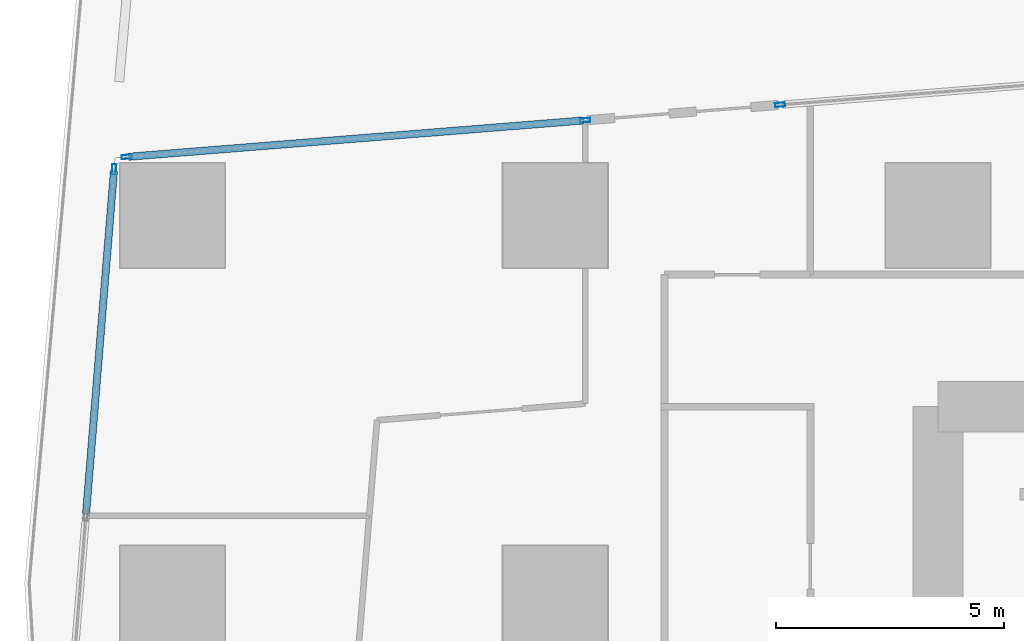
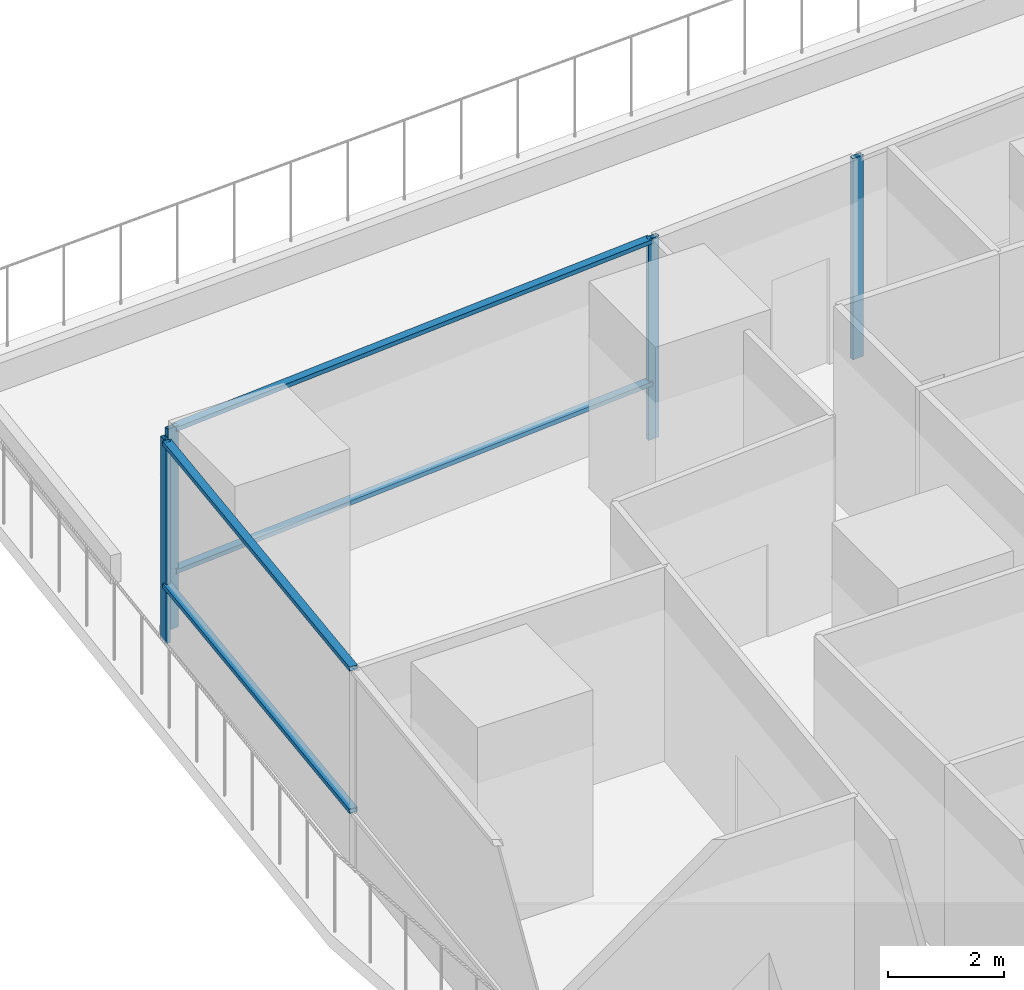
# One storey, part 9 of 39: 8 members, 3 elements without a shape of their own.
"""IFC4 building model written with IfcOpenShell, lengths in metres."""

from ifc_helpers import new_model, si_unit, direction, frame, origin, origin_2d, place, context, subcontext, project, spatial, hollow_rectangle, extrude, material, material_profile, profile_set, type_object, element, aggregate, save


model = new_model("IFC4")

# Units and contexts
model_context = context("Model", 3, precision=1e-05, world=origin(), true_north=direction((0.0, 1.0)))
body_context = subcontext(model_context, "Body", "Model", "MODEL_VIEW")
ifc_project = project(units=[si_unit("LENGTHUNIT", "METRE"), si_unit("AREAUNIT", "SQUARE_METRE"), si_unit("VOLUMEUNIT", "CUBIC_METRE"), si_unit("PLANEANGLEUNIT", "RADIAN"), si_unit("MASSUNIT", "GRAM", prefix="KILO")], contexts=[model_context])

# Site, building, storey
site_placement = place(None, origin())
site = spatial("IfcSite", under=ifc_project, at=site_placement, CompositionType="ELEMENT")
building_placement = place(site_placement, origin())
building = spatial("IfcBuilding", under=site, at=building_placement, Name="Rekha Terrace Tower", CompositionType="ELEMENT")
storey_placement = place(building_placement, frame((0.0, 0.0, 245.60009765625)))
storey = spatial("IfcBuildingStorey", under=building, at=storey_placement, Name="L62", CompositionType="ELEMENT", Elevation=245.60009765625)

# Curtain wall, member
ifc_material_1 = material(Name="Aluminium framing", Category="aluminium")
curtain_wall_type = type_object("IfcCurtainWallType", Name="CW5 sky garden glazing", PredefinedType="USERDEFINED", material=ifc_material_1)
curtain_wall_1_placement = place(storey_placement, origin())
curtain_wall_1 = element("IfcCurtainWall", 1, at=curtain_wall_1_placement, inside=storey, type_object=curtain_wall_type, Name="CW5 sky garden curtain wall", ObjectType="SKY GARDEN CURTAIN WALL", PredefinedType="USERDEFINED")
ifc_material_2 = material(Name="Aluminium mullion section", Category="aluminium")
ifc_material_profile_1 = material_profile(ifc_material_2, hollow_rectangle(XDim=0.090087890625, YDim=0.219970703125, WallThickness=0.00390625, at=origin_2d()), Name="AL RHS 90x220")
ifc_profile_set_1 = profile_set([ifc_material_profile_1], Name="Aluminium mullion section")
member_type_1 = type_object("IfcMemberType", Name="CW5 mullion RHS 90 x 220", PredefinedType="MULLION", material=ifc_profile_set_1)
member_1_placement = place(storey_placement, frame((21.736328125, 52.828369140625, 0.0), z_axis=(0.0, 0.0, 1.0), x_axis=(0.079485051575, -0.996836058024, 0.0)))
member_1 = element("IfcMember", 2, at=member_1_placement, type_object=member_type_1, Name="CW5 mullion 2", PredefinedType="MULLION", context=body_context, shape_type="SweptSolid", body=[
    extrude(hollow_rectangle(XDim=0.090087890625, YDim=0.219970703125, WallThickness=0.00390625, at=origin_2d()), origin(), (0.0, 0.0, 1.0), 4.25),
])
aggregate(curtain_wall_1, [member_1])

# Curtain wall, members
curtain_wall_2_placement = place(storey_placement, origin())
curtain_wall_2 = element("IfcCurtainWall", 3, at=curtain_wall_2_placement, inside=storey, type_object=curtain_wall_type, Name="CW5 sky garden curtain wall", ObjectType="SKY GARDEN CURTAIN WALL", PredefinedType="USERDEFINED")
member_2_placement = place(storey_placement, frame((17.4599609375, 52.4873046875, 0.0), z_axis=(0.0, 0.0, 1.0), x_axis=(0.079485051505, -0.996836058029, 0.0)))
member_2 = element("IfcMember", 4, at=member_2_placement, type_object=member_type_1, Name="CW5 mullion 1", PredefinedType="MULLION", context=body_context, shape_type="SweptSolid", body=[
    extrude(hollow_rectangle(XDim=0.090087890625, YDim=0.219970703125, WallThickness=0.00390625, at=origin_2d()), origin(), (0.0, 0.0, 1.0), 4.25),
])
member_3_placement = place(storey_placement, frame((7.393798828125, 51.684814453125, 0.0), z_axis=(0.0, 0.0, 1.0), x_axis=(0.079485051505, -0.996836058029, 0.0)))
member_3 = element("IfcMember", 5, at=member_3_placement, type_object=member_type_1, Name="CW5 mullion 2", PredefinedType="MULLION", context=body_context, shape_type="SweptSolid", body=[
    extrude(hollow_rectangle(XDim=0.090087890625, YDim=0.219970703125, WallThickness=0.00390625, at=origin_2d()), origin(), (0.0, 0.0, 1.0), 4.25),
])

# Curtain wall, member
curtain_wall_3_placement = place(storey_placement, origin())
curtain_wall_3 = element("IfcCurtainWall", 6, at=curtain_wall_3_placement, inside=storey, type_object=curtain_wall_type, Name="CW5 sky garden curtain wall", ObjectType="SKY GARDEN CURTAIN WALL", PredefinedType="USERDEFINED")
member_4_placement = place(storey_placement, frame((7.115234375, 51.41357421875, 0.0), z_axis=(0.0, 0.0, 1.0), x_axis=(0.996708580523, -0.081067906798, 0.0)))
member_4 = element("IfcMember", 7, at=member_4_placement, type_object=member_type_1, Name="CW5 mullion 1", PredefinedType="MULLION", context=body_context, shape_type="SweptSolid", body=[
    extrude(hollow_rectangle(XDim=0.090087890625, YDim=0.219970703125, WallThickness=0.00390625, at=origin_2d()), origin(), (0.0, 0.0, 1.0), 4.25),
])

# Member
ifc_material_3 = material(Name="Aluminium transom section", Category="aluminium")
ifc_material_profile_2 = material_profile(ifc_material_3, hollow_rectangle(XDim=0.159912109375, YDim=0.090087890625, WallThickness=0.0029296875, at=origin_2d()), Name="AL RHS 160x90")
ifc_profile_set_2 = profile_set([ifc_material_profile_2], Name="Aluminium transom section")
member_type_2 = type_object("IfcMemberType", Name="CW5 transom RHS 90 x 160", PredefinedType="USERDEFINED", material=ifc_profile_set_2)
member_5_placement = place(storey_placement, frame((17.4150390625, 52.48388671875, 1.199951171875), z_axis=(-0.996834717933, -0.079501856098, 0.0), x_axis=(0.079501856098, -0.996834717933, 0.0)))
member_5 = element("IfcMember", 8, at=member_5_placement, type_object=member_type_2, Name="CW5 transom 1.2", ObjectType="TRANSOM", PredefinedType="USERDEFINED", context=body_context, shape_type="SweptSolid", body=[
    extrude(hollow_rectangle(XDim=0.159912109375, YDim=0.090087890625, WallThickness=0.0029296875, at=origin_2d()), origin(), (0.0, 0.0, 1.0), 10.008056640625),
])

member_6_placement = place(storey_placement, frame((17.4150390625, 52.48388671875, 4.204833984375), z_axis=(-0.996834717933, -0.079501856098, 0.0), x_axis=(0.079501856098, -0.996834717933, 0.0)))
member_6 = element("IfcMember", 9, at=member_6_placement, type_object=member_type_2, Name="CW5 transom 1.3", ObjectType="TRANSOM", PredefinedType="USERDEFINED", context=body_context, shape_type="SweptSolid", body=[
    extrude(hollow_rectangle(XDim=0.159912109375, YDim=0.090087890625, WallThickness=0.0029296875, at=origin_2d()), origin(), (0.0, 0.0, 1.0), 10.008056640625),
])

aggregate(curtain_wall_2, [member_2, member_3, member_5, member_6])

member_7_placement = place(storey_placement, frame((7.111572265625, 51.36865234375, 1.199951171875), z_axis=(-0.081063502969, -0.996708938701, 0.0), x_axis=(0.996708938701, -0.081063502969, 0.0)))
member_7 = element("IfcMember", 10, at=member_7_placement, type_object=member_type_2, Name="CW5 transom 1.2", ObjectType="TRANSOM", PredefinedType="USERDEFINED", context=body_context, shape_type="SweptSolid", body=[
    extrude(hollow_rectangle(XDim=0.159912109375, YDim=0.090087890625, WallThickness=0.0029296875, at=origin_2d()), origin(), (0.0, 0.0, 1.0), 7.54443359375),
])

member_8_placement = place(storey_placement, frame((7.111572265625, 51.36865234375, 4.204833984375), z_axis=(-0.081063502969, -0.996708938701, 0.0), x_axis=(0.996708938701, -0.081063502969, 0.0)))
member_8 = element("IfcMember", 11, at=member_8_placement, type_object=member_type_2, Name="CW5 transom 1.3", ObjectType="TRANSOM", PredefinedType="USERDEFINED", context=body_context, shape_type="SweptSolid", body=[
    extrude(hollow_rectangle(XDim=0.159912109375, YDim=0.090087890625, WallThickness=0.0029296875, at=origin_2d()), origin(), (0.0, 0.0, 1.0), 7.54443359375),
])

aggregate(curtain_wall_3, [member_4, member_7, member_8])

save(model, "model.ifc")
